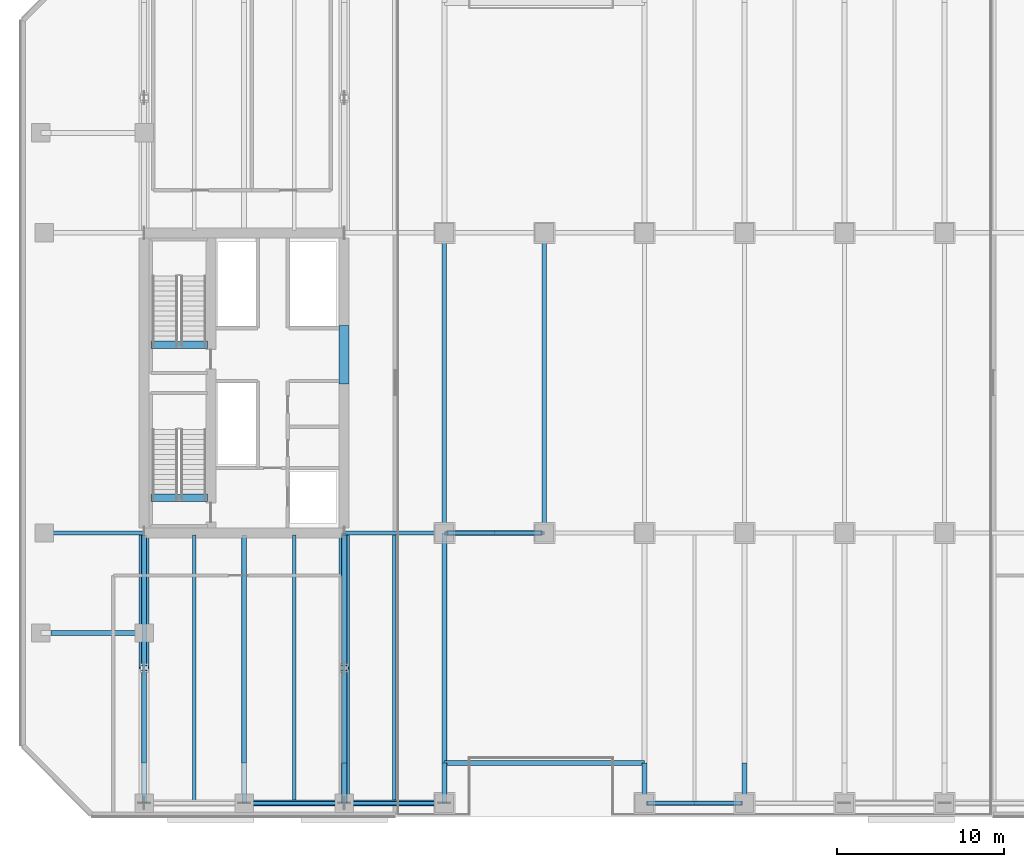
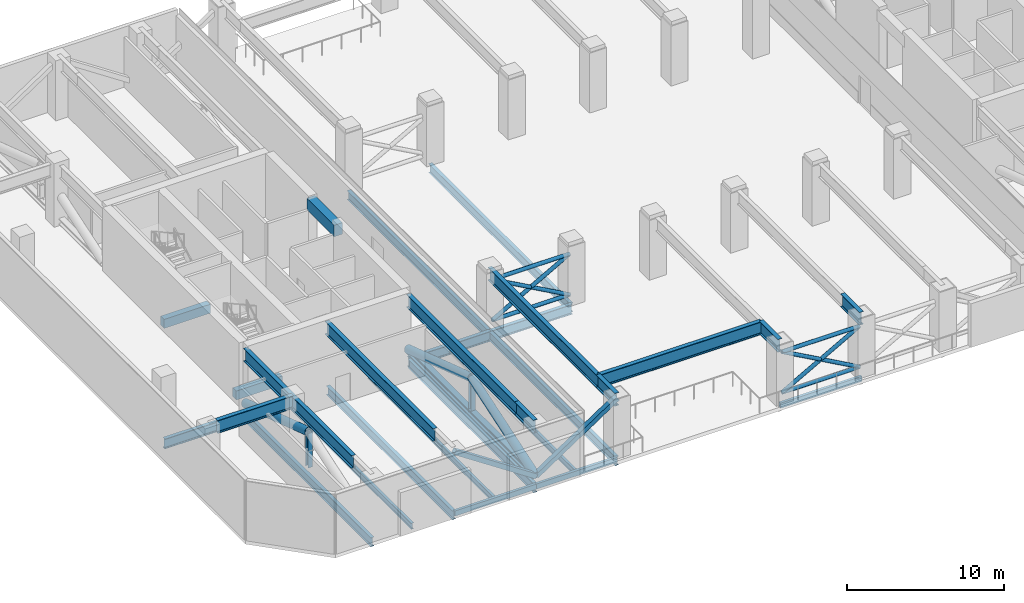
# One storey, part 2 of 22: 28 beams, 16 members.
"""IFC4 building model written with IfcOpenShell, lengths in metres."""

from ifc_helpers import new_model, si_unit, direction, frame, origin, origin_2d, place, context, subcontext, project, spatial, rectangle, hollow_rectangle, hollow_circle, i_section, extrude, material, material_profile, profile_set, type_object, element, save


model = new_model("IFC4")

# Units and contexts
model_context = context("Model", 3, precision=1e-05, world=origin(), true_north=direction((0.0, 1.0)))
body_context = subcontext(model_context, "Body", "Model", "MODEL_VIEW")
ifc_project = project(units=[si_unit("LENGTHUNIT", "METRE"), si_unit("AREAUNIT", "SQUARE_METRE"), si_unit("VOLUMEUNIT", "CUBIC_METRE"), si_unit("PLANEANGLEUNIT", "RADIAN"), si_unit("MASSUNIT", "GRAM", prefix="KILO")], contexts=[model_context])

# Site, building, storey
site_placement = place(None, origin())
site = spatial("IfcSite", under=ifc_project, at=site_placement, CompositionType="ELEMENT")
building_placement = place(site_placement, origin())
building = spatial("IfcBuilding", under=site, at=building_placement, Name="Tanjung Sevakor Pilgrim Tower", CompositionType="ELEMENT")
storey_placement = place(building_placement, frame((0.0, 0.0, 73.260009765625)))
storey = spatial("IfcBuildingStorey", under=building, at=storey_placement, Name="L20", CompositionType="ELEMENT", Elevation=73.260009765625)

# Beams
ifc_material_1 = material(Name="Steel S355J2", Category="steel")
ifc_material_profile_1 = material_profile(ifc_material_1, i_section(OverallWidth=0.26806640625, OverallDepth=0.769775390625, WebThickness=0.015625, FlangeThickness=0.025390625, FilletRadius=0.0166015625, at=origin_2d()))
ifc_profile_set_1 = profile_set([ifc_material_profile_1], Name="Steel S355J2")
beam_type_1 = type_object("IfcBeamType", Name="BM-B-G1-UB_762x267x197", PredefinedType="BEAM", material=ifc_profile_set_1)
for number, where, z_axis, x_axis, name in (
    (1, (18.0, 24.60009765625, -0.664794921875), (1.0, 0.0, 0.0), (0.0, 1.0, 0.0), "L20 Primary Floor Girder MAIN Y246-01"),
    (2, (36.0, 24.60009765625, -0.664794921875), (1.0, 0.0, 0.0), (0.0, 1.0, 0.0), "L20 Primary Floor Girder MAIN Y246-02"),
    (3, (42.0, 24.60009765625, -0.664794921875), (1.0, 0.0, 0.0), (0.0, 1.0, 0.0), "L20 Primary Floor Girder MAIN Y246-03"),
):
    element("IfcBeam", number, at=place(storey_placement, frame(where, z_axis=z_axis, x_axis=x_axis)), inside=storey, type_object=beam_type_1, Name=name, PredefinedType="BEAM", context=body_context, shape_type="SweptSolid", body=[
        extrude(i_section(OverallWidth=0.26806640625, OverallDepth=0.769775390625, WebThickness=0.015625, FlangeThickness=0.025390625, FilletRadius=0.0166015625, at=origin_2d()), origin(), (0.0, 0.0, 1.0), 6.0),
    ])
ifc_material_2 = material(Name="Steel S355J2", Category="steel")
ifc_material_profile_2 = material_profile(ifc_material_2, i_section(OverallWidth=0.25439453125, OverallDepth=0.6875, WebThickness=0.01318359375, FlangeThickness=0.02099609375, FilletRadius=0.01513671875, at=origin_2d()))
ifc_profile_set_2 = profile_set([ifc_material_profile_2], Name="Steel S355J2")
beam_type_2 = type_object("IfcBeamType", Name="BM-B-G2-UB_686x254x152", PredefinedType="BEAM", material=ifc_profile_set_2)
for number, where, z_axis, x_axis, name in (
    (4, (24.0, 8.39990234375, -0.623779296875), (0.0, 1.0, 0.0), (-1.0, 0.0, 0.0), "L20 MAIN Girder 001"),
    (5, (30.0, 8.39990234375, -0.623779296875), (0.0, 1.0, 0.0), (-1.0, 0.0, 0.0), "L20 MAIN Girder 005"),
    (6, (36.0, 8.39990234375, -0.623779296875), (0.0, 1.0, 0.0), (-1.0, 0.0, 0.0), "L20 MAIN Girder 009"),
):
    element("IfcBeam", number, at=place(storey_placement, frame(where, z_axis=z_axis, x_axis=x_axis)), inside=storey, type_object=beam_type_2, Name=name, PredefinedType="BEAM", context=body_context, shape_type="SweptSolid", body=[
        extrude(i_section(OverallWidth=0.25439453125, OverallDepth=0.6875, WebThickness=0.01318359375, FlangeThickness=0.02099609375, FilletRadius=0.01513671875, at=origin_2d()), origin(), (0.0, 0.0, 1.0), 16.066162109375),
    ])
beam_1_placement = place(storey_placement, frame((42.0, 8.39990234375, -0.623779296875), z_axis=(0.0, 1.0, 0.0), x_axis=(-1.0, 0.0, 0.0)))
element("IfcBeam", 7, at=beam_1_placement, inside=storey, type_object=beam_type_2, Name="L20 MAIN Girder 013", PredefinedType="BEAM", context=body_context, shape_type="SweptSolid", body=[
    extrude(i_section(OverallWidth=0.25439453125, OverallDepth=0.6875, WebThickness=0.01318359375, FlangeThickness=0.02099609375, FilletRadius=0.01513671875, at=origin_2d()), origin(), (0.0, 0.0, 1.0), 16.2001953125),
])
for number, where, z_axis, x_axis, name in (
    (8, (42.0, 24.60009765625, -0.623779296875), (0.0, 1.0, 0.0), (-1.0, 0.0, 0.0), "L20 MAIN Girder 014"),
    (9, (48.0, 24.60009765625, -0.623779296875), (0.0, 1.0, 0.0), (-1.0, 0.0, 0.0), "L20 MAIN Girder 016"),
):
    element("IfcBeam", number, at=place(storey_placement, frame(where, z_axis=z_axis, x_axis=x_axis)), inside=storey, type_object=beam_type_2, Name=name, PredefinedType="BEAM", context=body_context, shape_type="SweptSolid", body=[
        extrude(i_section(OverallWidth=0.25439453125, OverallDepth=0.6875, WebThickness=0.01318359375, FlangeThickness=0.02099609375, FilletRadius=0.01513671875, at=origin_2d()), origin(), (0.0, 0.0, 1.0), 18.0),
    ])
ifc_material_3 = material(Name="Steel S460M", Category="steel")
ifc_material_profile_3 = material_profile(ifc_material_3, i_section(OverallWidth=0.302001953125, OverallDepth=1.008056640625, WebThickness=0.02099609375, FlangeThickness=0.0400390625, FilletRadius=0.030029296875, at=origin_2d()))
ifc_profile_set_3 = profile_set([ifc_material_profile_3], Name="Steel S460M")
beam_type_3 = type_object("IfcBeamType", Name="BM-B-G7-HE_1000M", PredefinedType="BEAM", material=ifc_profile_set_3)
beam_2_placement = place(storey_placement, frame((18.39990234375, 18.60009765625, 4.166015625), z_axis=(1.0, 0.0, 0.0), x_axis=(0.0, 1.0, 0.0)))
element("IfcBeam", 10, at=beam_2_placement, inside=storey, type_object=beam_type_3, Name="L20 Short-End Setback Transfer Girder W Y18.6-2", PredefinedType="BEAM", context=body_context, shape_type="SweptSolid", body=[
    extrude(i_section(OverallWidth=0.302001953125, OverallDepth=1.008056640625, WebThickness=0.02099609375, FlangeThickness=0.0400390625, FilletRadius=0.030029296875, at=origin_2d()), origin(), (0.0, 0.0, 1.0), 5.60009765625),
])
beam_3_placement = place(storey_placement, frame((42.0, 10.800048828125, 4.166015625), z_axis=(1.0, 0.0, 0.0), x_axis=(0.0, 1.0, 0.0)))
element("IfcBeam", 11, at=beam_3_placement, inside=storey, type_object=beam_type_3, Name="L20 Setback Ring Transfer Girder S-01", PredefinedType="BEAM", context=body_context, shape_type="SweptSolid", body=[
    extrude(i_section(OverallWidth=0.302001953125, OverallDepth=1.008056640625, WebThickness=0.02099609375, FlangeThickness=0.0400390625, FilletRadius=0.030029296875, at=origin_2d()), origin(), (0.0, 0.0, 1.0), 12.0),
])
for number, where, z_axis, x_axis, name in (
    (12, (24.0, 10.800048828125, 4.166015625), (0.0, 1.0, 0.0), (-1.0, 0.0, 0.0), "L20 Setback Transfer Girder South X24-2"),
    (13, (30.0, 10.800048828125, 4.166015625), (0.0, 1.0, 0.0), (-1.0, 0.0, 0.0), "L20 Setback Transfer Girder South X30-2"),
):
    element("IfcBeam", number, at=place(storey_placement, frame(where, z_axis=z_axis, x_axis=x_axis)), inside=storey, type_object=beam_type_3, Name=name, PredefinedType="BEAM", context=body_context, shape_type="SweptSolid", body=[
        extrude(i_section(OverallWidth=0.302001953125, OverallDepth=1.008056640625, WebThickness=0.02099609375, FlangeThickness=0.0400390625, FilletRadius=0.030029296875, at=origin_2d()), origin(), (0.0, 0.0, 1.0), 13.800048828125),
    ])
beam_4_placement = place(storey_placement, frame((36.0, 8.39990234375, 4.166015625), z_axis=(0.0, 1.0, 0.0), x_axis=(-1.0, 0.0, 0.0)))
element("IfcBeam", 14, at=beam_4_placement, inside=storey, type_object=beam_type_3, Name="L20 Setback Transfer Girder South X36-1", PredefinedType="BEAM", context=body_context, shape_type="SweptSolid", body=[
    extrude(i_section(OverallWidth=0.302001953125, OverallDepth=1.008056640625, WebThickness=0.02099609375, FlangeThickness=0.0400390625, FilletRadius=0.030029296875, at=origin_2d()), origin(), (0.0, 0.0, 1.0), 2.400146484375),
])
beam_5_placement = place(storey_placement, frame((36.0, 10.800048828125, 4.166015625), z_axis=(0.0, 1.0, 0.0), x_axis=(-1.0, 0.0, 0.0)))
element("IfcBeam", 15, at=beam_5_placement, inside=storey, type_object=beam_type_3, Name="L20 Setback Transfer Girder South X36-2", PredefinedType="BEAM", context=body_context, shape_type="SweptSolid", body=[
    extrude(i_section(OverallWidth=0.302001953125, OverallDepth=1.008056640625, WebThickness=0.02099609375, FlangeThickness=0.0400390625, FilletRadius=0.030029296875, at=origin_2d()), origin(), (0.0, 0.0, 1.0), 13.800048828125),
])
beam_6_placement = place(storey_placement, frame((42.0, 8.39990234375, 4.166015625), z_axis=(0.0, 1.0, 0.0), x_axis=(-1.0, 0.0, 0.0)))
element("IfcBeam", 16, at=beam_6_placement, inside=storey, type_object=beam_type_3, Name="L20 Setback Transfer Girder South X42-1", PredefinedType="BEAM", context=body_context, shape_type="SweptSolid", body=[
    extrude(i_section(OverallWidth=0.302001953125, OverallDepth=1.008056640625, WebThickness=0.02099609375, FlangeThickness=0.0400390625, FilletRadius=0.030029296875, at=origin_2d()), origin(), (0.0, 0.0, 1.0), 2.400146484375),
])
beam_7_placement = place(storey_placement, frame((42.0, 10.800048828125, 4.166015625), z_axis=(0.0, 1.0, 0.0), x_axis=(-1.0, 0.0, 0.0)))
element("IfcBeam", 17, at=beam_7_placement, inside=storey, type_object=beam_type_3, Name="L20 Setback Transfer Girder South X42-2", PredefinedType="BEAM", context=body_context, shape_type="SweptSolid", body=[
    extrude(i_section(OverallWidth=0.302001953125, OverallDepth=1.008056640625, WebThickness=0.02099609375, FlangeThickness=0.0400390625, FilletRadius=0.030029296875, at=origin_2d()), origin(), (0.0, 0.0, 1.0), 13.800048828125),
])
for number, where, z_axis, x_axis, name in (
    (18, (54.0, 8.39990234375, 4.166015625), (0.0, 1.0, 0.0), (-1.0, 0.0, 0.0), "L20 Setback Transfer Girder South X54-1"),
    (19, (60.0, 8.39990234375, 4.166015625), (0.0, 1.0, 0.0), (-1.0, 0.0, 0.0), "L20 Setback Transfer Girder South X60-1"),
):
    element("IfcBeam", number, at=place(storey_placement, frame(where, z_axis=z_axis, x_axis=x_axis)), inside=storey, type_object=beam_type_3, Name=name, PredefinedType="BEAM", context=body_context, shape_type="SweptSolid", body=[
        extrude(i_section(OverallWidth=0.302001953125, OverallDepth=1.008056640625, WebThickness=0.02099609375, FlangeThickness=0.0400390625, FilletRadius=0.030029296875, at=origin_2d()), origin(), (0.0, 0.0, 1.0), 2.400146484375),
    ])
ifc_material_4 = material(Name="Steel S355J2", Category="steel")
ifc_material_profile_4 = material_profile(ifc_material_4, i_section(OverallWidth=0.19140625, OverallDepth=0.4599609375, WebThickness=0.010009765625, FlangeThickness=0.01611328125, FilletRadius=0.01025390625, at=origin_2d()))
ifc_profile_set_4 = profile_set([ifc_material_profile_4], Name="Steel S355J2")
beam_type_4 = type_object("IfcBeamType", Name="BM-B-J2-UB_457x191x82", PredefinedType="JOIST", material=ifc_profile_set_4)
for number, where, z_axis, x_axis, name in (
    (20, (27.0, 8.5, -0.510009765625), (0.0, 1.0, 0.0), (-1.0, 0.0, 0.0), "L20 MAIN Joist 003"),
    (21, (33.0, 8.5, -0.510009765625), (0.0, 1.0, 0.0), (-1.0, 0.0, 0.0), "L20 MAIN Joist 007"),
    (22, (39.0, 8.5, -0.510009765625), (0.0, 1.0, 0.0), (-1.0, 0.0, 0.0), "L20 MAIN Joist 011"),
):
    element("IfcBeam", number, at=place(storey_placement, frame(where, z_axis=z_axis, x_axis=x_axis)), inside=storey, type_object=beam_type_4, Name=name, PredefinedType="JOIST", context=body_context, shape_type="SweptSolid", body=[
        extrude(i_section(OverallWidth=0.19140625, OverallDepth=0.4599609375, WebThickness=0.010009765625, FlangeThickness=0.01611328125, FilletRadius=0.01025390625, at=origin_2d()), origin(), (0.0, 0.0, 1.0), 15.966064453125),
    ])
ifc_material_5 = material(Name="Concrete C60/75", Category="concrete")
ifc_material_profile_5 = material_profile(ifc_material_5, rectangle(XDim=0.60009765625, YDim=0.89990234375, at=origin_2d()))
ifc_profile_set_5 = profile_set([ifc_material_profile_5], Name="Concrete C60/75")
beam_type_5 = type_object("IfcBeamType", Name="BM-B-LN1-RC-BM_600x900", PredefinedType="LINTEL", material=ifc_profile_set_5)
beam_8_placement = place(storey_placement, frame((36.0, 33.550048828125, 4.219970703125), z_axis=(0.0, 1.0, 0.0), x_axis=(-1.0, 0.0, 0.0)))
element("IfcBeam", 23, at=beam_8_placement, inside=storey, type_object=beam_type_5, Name="L20 W Core Coupling Lintel", PredefinedType="LINTEL", context=body_context, shape_type="SweptSolid", body=[
    extrude(rectangle(XDim=0.60009765625, YDim=0.89990234375, at=origin_2d()), origin(), (0.0, 0.0, 1.0), 3.5),
])
ifc_material_6 = material(Name="Concrete C60/75", Category="concrete")
ifc_material_profile_6 = material_profile(ifc_material_6, rectangle(XDim=0.449951171875, YDim=0.699951171875, at=origin_2d()))
ifc_profile_set_6 = profile_set([ifc_material_profile_6], Name="Concrete C60/75")
beam_type_6 = type_object("IfcBeamType", Name="BM-B-LN3-RC-BM_450x700", PredefinedType="LINTEL", material=ifc_profile_set_6)
for number, where, z_axis, x_axis, name in (
    (24, (24.39990234375, 26.699951171875, -0.35009765625), (1.0, 0.0, 0.0), (0.0, 1.0, 0.0), "L20 TS-W1 Stair Threshold Beam"),
    (25, (24.39990234375, 35.89990234375, -0.35009765625), (1.0, 0.0, 0.0), (0.0, 1.0, 0.0), "L20 TS-W2 Stair Threshold Beam"),
):
    element("IfcBeam", number, at=place(storey_placement, frame(where, z_axis=z_axis, x_axis=x_axis)), inside=storey, type_object=beam_type_6, Name=name, PredefinedType="LINTEL", context=body_context, shape_type="SweptSolid", body=[
        extrude(rectangle(XDim=0.449951171875, YDim=0.699951171875, at=origin_2d()), origin(), (0.0, 0.0, 1.0), 3.400146484375),
    ])
ifc_material_7 = material(Name="Steel S355J2", Category="steel")
ifc_material_profile_7 = material_profile(ifc_material_7, hollow_rectangle(XDim=0.199951171875, YDim=0.39990234375, WallThickness=0.01611328125, at=origin_2d()))
ifc_profile_set_7 = profile_set([ifc_material_profile_7], Name="Steel S355J2")
beam_type_7 = type_object("IfcBeamType", Name="BM-B-SP2-RHS_400x200x16", PredefinedType="SPANDREL", material=ifc_profile_set_7)
for number, where, z_axis, x_axis, name in (
    (26, (30.0, 8.39990234375, -0.47998046875), (1.0, 0.0, 0.0), (0.0, 1.0, 0.0), "L20 Spandrel MAIN S-03"),
    (27, (36.0, 8.39990234375, -0.47998046875), (1.0, 0.0, 0.0), (0.0, 1.0, 0.0), "L20 Spandrel MAIN S-05"),
    (28, (54.0, 8.39990234375, -0.47998046875), (1.0, 0.0, 0.0), (0.0, 1.0, 0.0), "L20 Spandrel MAIN S-07"),
):
    element("IfcBeam", number, at=place(storey_placement, frame(where, z_axis=z_axis, x_axis=x_axis)), inside=storey, type_object=beam_type_7, Name=name, PredefinedType="SPANDREL", context=body_context, shape_type="SweptSolid", body=[
        extrude(hollow_rectangle(XDim=0.199951171875, YDim=0.39990234375, WallThickness=0.01611328125, at=origin_2d()), origin(), (0.0, 0.0, 1.0), 6.0),
    ])

# Members
ifc_material_8 = material(Name="Steel S460M", Category="steel")
ifc_material_profile_8 = material_profile(ifc_material_8, hollow_circle(Radius=0.304931640625, WallThickness=0.030029296875, at=origin_2d()))
ifc_profile_set_8 = profile_set([ifc_material_profile_8], Name="Steel S460M")
member_type_1 = type_object("IfcMemberType", Name="MEM-M-BR2-CHS_610x30", PredefinedType="BRACE", material=ifc_profile_set_8)
for number, where, z_axis, x_axis, name in (
    (29, (24.0, 16.5, 3.0400390625), (0.0, 0.949037396078, -0.315163482729), (-1.0, 0.0, 0.0), "OT-2 L20 Outrigger Truss Diagonal 2 X24 S"),
    (30, (36.0, 8.39990234375, 0.35009765625), (0.0, 0.949037396078, 0.315163482729), (-1.0, 0.0, 0.0), "OT-2 L20 Outrigger Truss Diagonal 1 X36 S"),
    (31, (36.0, 16.5, 3.0400390625), (0.0, 0.949037396078, -0.315163482729), (-1.0, 0.0, 0.0), "OT-2 L20 Outrigger Truss Diagonal 2 X36 S"),
):
    element("IfcMember", number, at=place(storey_placement, frame(where, z_axis=z_axis, x_axis=x_axis)), inside=storey, type_object=member_type_1, Name=name, PredefinedType="BRACE", context=body_context, shape_type="SweptSolid", body=[
        extrude(hollow_circle(Radius=0.304931640625, WallThickness=0.030029296875, at=origin_2d()), origin(), (0.0, 0.0, 1.0), 8.53515625),
    ])
ifc_material_9 = material(Name="Steel S460M", Category="steel")
ifc_material_profile_9 = material_profile(ifc_material_9, hollow_rectangle(XDim=0.35009765625, YDim=0.35009765625, WallThickness=0.01611328125, at=origin_2d()))
ifc_profile_set_9 = profile_set([ifc_material_profile_9], Name="Steel S460M")
member_type_2 = type_object("IfcMemberType", Name="MEM-M-BR7-SHS_350x350x16", PredefinedType="BRACE", material=ifc_profile_set_9)
for number, where, z_axis, x_axis, name in (
    (32, (30.0, 8.39990234375, 4.3359375), (0.832956473164, 0.0, -0.553338516474), (0.0, 1.0, 0.0), "BT-1 L20 Belt Truss Diagonal Brace S-02"),
    (33, (36.0, 8.39990234375, 0.35009765625), (0.832956473164, 0.0, 0.553338516474), (0.0, 1.0, 0.0), "BT-1 L20 Belt Truss Diagonal Brace S-03"),
):
    element("IfcMember", number, at=place(storey_placement, frame(where, z_axis=z_axis, x_axis=x_axis)), inside=storey, type_object=member_type_2, Name=name, PredefinedType="BRACE", context=body_context, shape_type="SweptSolid", body=[
        extrude(hollow_rectangle(XDim=0.35009765625, YDim=0.35009765625, WallThickness=0.01611328125, at=origin_2d()), origin(), (0.0, 0.0, 1.0), 7.203369140625),
    ])
ifc_material_10 = material(Name="Steel S460M", Category="steel")
ifc_material_profile_10 = material_profile(ifc_material_10, i_section(OverallWidth=0.41845703125, OverallDepth=0.45556640625, WebThickness=0.0419921875, FlangeThickness=0.0673828125, FilletRadius=0.01513671875, at=origin_2d()))
ifc_profile_set_10 = profile_set([ifc_material_profile_10], Name="Steel S460M")
member_type_3 = type_object("IfcMemberType", Name="MEM-M-CH2-UC_356x406x551", PredefinedType="CHORD", material=ifc_profile_set_10)
member_placement = place(storey_placement, frame((36.0, 8.39990234375, 0.35009765625), z_axis=(0.0, 1.0, 0.0), x_axis=(-1.0, 0.0, 0.0)))
element("IfcMember", 34, at=member_placement, inside=storey, type_object=member_type_3, Name="OT-1 L20 Outrigger Truss Chord X36 S", PredefinedType="CHORD", context=body_context, shape_type="SweptSolid", body=[
    extrude(i_section(OverallWidth=0.41845703125, OverallDepth=0.45556640625, WebThickness=0.0419921875, FlangeThickness=0.0673828125, FilletRadius=0.01513671875, at=origin_2d()), origin(), (0.0, 0.0, 1.0), 16.2001953125),
])
ifc_material_11 = material(Name="Steel S460M", Category="steel")
ifc_material_profile_11 = material_profile(ifc_material_11, i_section(OverallWidth=0.314453125, OverallDepth=0.33984375, WebThickness=0.01904296875, FlangeThickness=0.031494140625, FilletRadius=0.01513671875, at=origin_2d()))
ifc_profile_set_11 = profile_set([ifc_material_profile_11], Name="Steel S460M")
member_type_4 = type_object("IfcMemberType", Name="MEM-M-ST2-UC_305x305x198", PredefinedType="STRUT", material=ifc_profile_set_11)
for number, where, z_axis, x_axis, name in (
    (35, (24.0, 16.5, 0.35009765625), (0.0, 0.0, 1.0), (1.0, 0.0, 0.0), "OT-3 L20 Outrigger Truss Strut X24 S"),
    (36, (36.0, 16.5, 0.35009765625), (0.0, 0.0, 1.0), (1.0, 0.0, 0.0), "OT-3 L20 Outrigger Truss Strut X36 S"),
):
    element("IfcMember", number, at=place(storey_placement, frame(where, z_axis=z_axis, x_axis=x_axis)), inside=storey, type_object=member_type_4, Name=name, PredefinedType="STRUT", context=body_context, shape_type="SweptSolid", body=[
        extrude(i_section(OverallWidth=0.314453125, OverallDepth=0.33984375, WebThickness=0.01904296875, FlangeThickness=0.031494140625, FilletRadius=0.01513671875, at=origin_2d()), origin(), (0.0, 0.0, 1.0), 2.68994140625),
    ])
ifc_material_12 = material(Name="Steel S355J2", Category="steel")
ifc_material_profile_12 = material_profile(ifc_material_12, hollow_circle(Radius=0.136474609375, WallThickness=0.012451171875, at=origin_2d()))
ifc_profile_set_12 = profile_set([ifc_material_profile_12], Name="Steel S355J2")
member_type_5 = type_object("IfcMemberType", Name="TYPE-MB-TURBINE", PredefinedType="USERDEFINED", material=ifc_profile_set_12)
for number, where, z_axis, x_axis, name in (
    (37, (42.14990234375, 24.60009765625, 0.449951171875), (1.0, 0.0, 0.0), (0.0, 1.0, 0.0), "L20 Wind Turbine Shroud BOT WTURB-L20-S1"),
    (38, (42.14990234375, 24.60009765625, 3.619873046875), (1.0, 0.0, 0.0), (0.0, 1.0, 0.0), "L20 Wind Turbine Shroud TOP WTURB-L20-S1"),
):
    element("IfcMember", number, at=place(storey_placement, frame(where, z_axis=z_axis, x_axis=x_axis)), inside=storey, type_object=member_type_5, Name=name, ObjectType="TURBINE_FRAME", PredefinedType="USERDEFINED", context=body_context, shape_type="SweptSolid", body=[
        extrude(hollow_circle(Radius=0.136474609375, WallThickness=0.012451171875, at=origin_2d()), origin(), (0.0, 0.0, 1.0), 5.7001953125),
    ])
for number, where, z_axis, x_axis, name in (
    (39, (42.14990234375, 24.60009765625, 0.449951171875), (0.87395238411, 0.0, 0.486011553678), (0.0, 1.0, 0.0), "L20 Wind Turbine Shroud BL1 WTURB-L20-S1"),
    (40, (42.14990234375, 24.60009765625, 3.619873046875), (0.87395238411, 0.0, -0.486011553678), (0.0, 1.0, 0.0), "L20 Wind Turbine Shroud BL2 WTURB-L20-S1"),
):
    element("IfcMember", number, at=place(storey_placement, frame(where, z_axis=z_axis, x_axis=x_axis)), inside=storey, type_object=member_type_5, Name=name, ObjectType="TURBINE_FRAME", PredefinedType="USERDEFINED", context=body_context, shape_type="SweptSolid", body=[
        extrude(hollow_circle(Radius=0.136474609375, WallThickness=0.012451171875, at=origin_2d()), origin(), (0.0, 0.0, 1.0), 6.522216796875),
    ])
for number, where, z_axis, x_axis, name in (
    (41, (54.14990234375, 8.39990234375, 0.449951171875), (1.0, 0.0, 0.0), (0.0, 1.0, 0.0), "L20 Wind Turbine Shroud BOT WTURB-L20-S2"),
    (42, (54.14990234375, 8.39990234375, 3.619873046875), (1.0, 0.0, 0.0), (0.0, 1.0, 0.0), "L20 Wind Turbine Shroud TOP WTURB-L20-S2"),
):
    element("IfcMember", number, at=place(storey_placement, frame(where, z_axis=z_axis, x_axis=x_axis)), inside=storey, type_object=member_type_5, Name=name, ObjectType="TURBINE_FRAME", PredefinedType="USERDEFINED", context=body_context, shape_type="SweptSolid", body=[
        extrude(hollow_circle(Radius=0.136474609375, WallThickness=0.012451171875, at=origin_2d()), origin(), (0.0, 0.0, 1.0), 5.7001953125),
    ])
for number, where, z_axis, x_axis, name in (
    (43, (54.14990234375, 8.39990234375, 0.449951171875), (0.87395238411, 0.0, 0.486011553678), (0.0, 1.0, 0.0), "L20 Wind Turbine Shroud BL1 WTURB-L20-S2"),
    (44, (54.14990234375, 8.39990234375, 3.619873046875), (0.87395238411, 0.0, -0.486011553678), (0.0, 1.0, 0.0), "L20 Wind Turbine Shroud BL2 WTURB-L20-S2"),
):
    element("IfcMember", number, at=place(storey_placement, frame(where, z_axis=z_axis, x_axis=x_axis)), inside=storey, type_object=member_type_5, Name=name, ObjectType="TURBINE_FRAME", PredefinedType="USERDEFINED", context=body_context, shape_type="SweptSolid", body=[
        extrude(hollow_circle(Radius=0.136474609375, WallThickness=0.012451171875, at=origin_2d()), origin(), (0.0, 0.0, 1.0), 6.522216796875),
    ])

save(model, "model.ifc")
